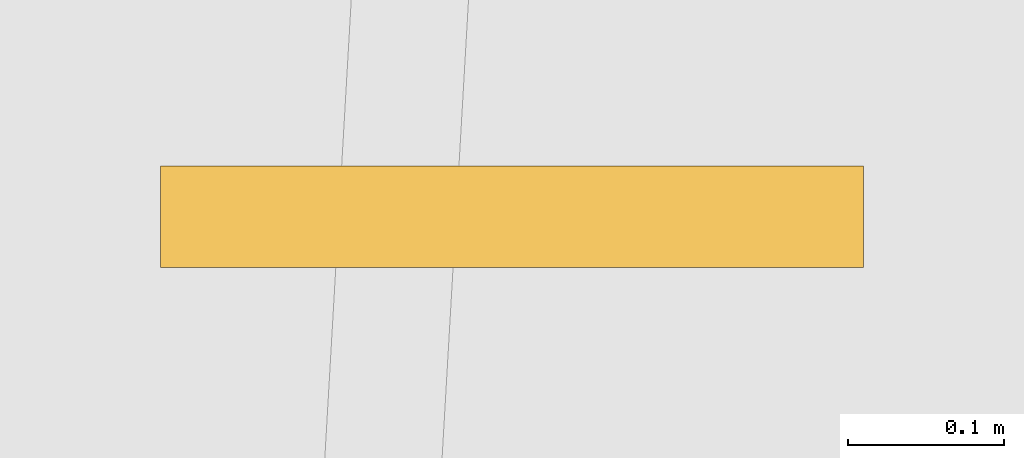
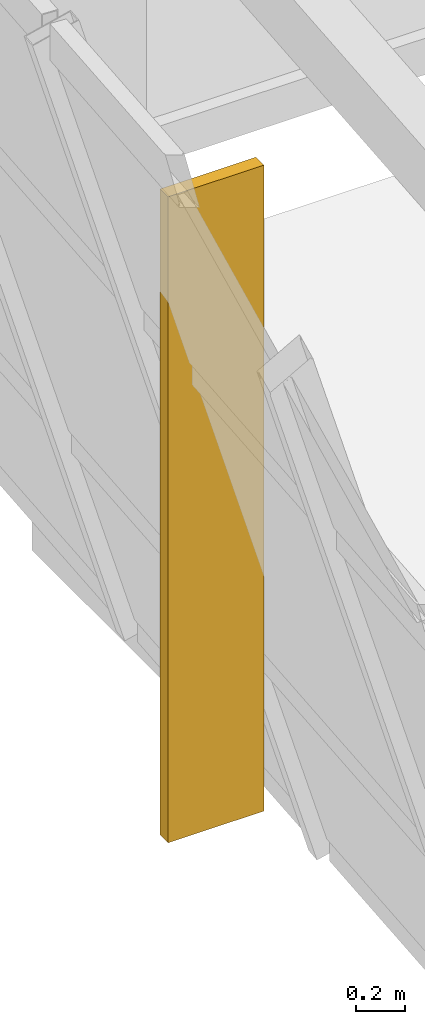
# One storey, part 66 of 67: 1 shading device.
"""IFC4 building model written with IfcOpenShell, lengths in metres."""

from ifc_helpers import new_model, si_unit, direction, frame, origin, origin_2d, place, context, subcontext, project, spatial, rectangle, extrude, material, type_object, element, save


model = new_model("IFC4")

# Units and contexts
model_context = context("Model", 3, precision=1e-05, world=origin(), true_north=direction((0.0, 1.0)))
body_context = subcontext(model_context, "Body", "Model", "MODEL_VIEW")
ifc_project = project(units=[si_unit("LENGTHUNIT", "METRE"), si_unit("AREAUNIT", "SQUARE_METRE"), si_unit("VOLUMEUNIT", "CUBIC_METRE"), si_unit("PLANEANGLEUNIT", "RADIAN"), si_unit("MASSUNIT", "GRAM", prefix="KILO")], contexts=[model_context])

# Site, building, storey
site_placement = place(None, origin())
site = spatial("IfcSite", under=ifc_project, at=site_placement, CompositionType="ELEMENT")
building_placement = place(site_placement, origin())
building = spatial("IfcBuilding", under=site, at=building_placement, Name="Pellamere Symphony Hall", CompositionType="ELEMENT")
storey_placement = place(building_placement, frame((0.0, 0.0, 19.5)))
storey = spatial("IfcBuildingStorey", under=building, at=storey_placement, Name="L04", CompositionType="ELEMENT", Elevation=19.5)

# Shading device
ifc_material = material(Name="Champagne-Anodised Extruded Aluminium 6063-T6", Category="aluminium")
shading_device_type = type_object("IfcShadingDeviceType", Name="Exterior Shading SD-01 65x450", PredefinedType="SHUTTER", material=ifc_material)
shading_device_placement = place(storey_placement, frame((48.718505859375, 89.199951171875, 0.64990234375), z_axis=(0.0, 0.0, 1.0), x_axis=(0.0, 1.0, 0.0)))
element("IfcShadingDevice", 1, at=shading_device_placement, inside=storey, type_object=shading_device_type, Name="Crystal Acoustic Sunshade Fin CW-CR15 (L04)", PredefinedType="SHUTTER", context=body_context, shape_type="SweptSolid", body=[
    extrude(rectangle(XDim=0.06494140625, YDim=0.449951171875, at=origin_2d()), origin(), (0.0, 0.0, 1.0), 3.199951171875),
])

save(model, "model.ifc")
